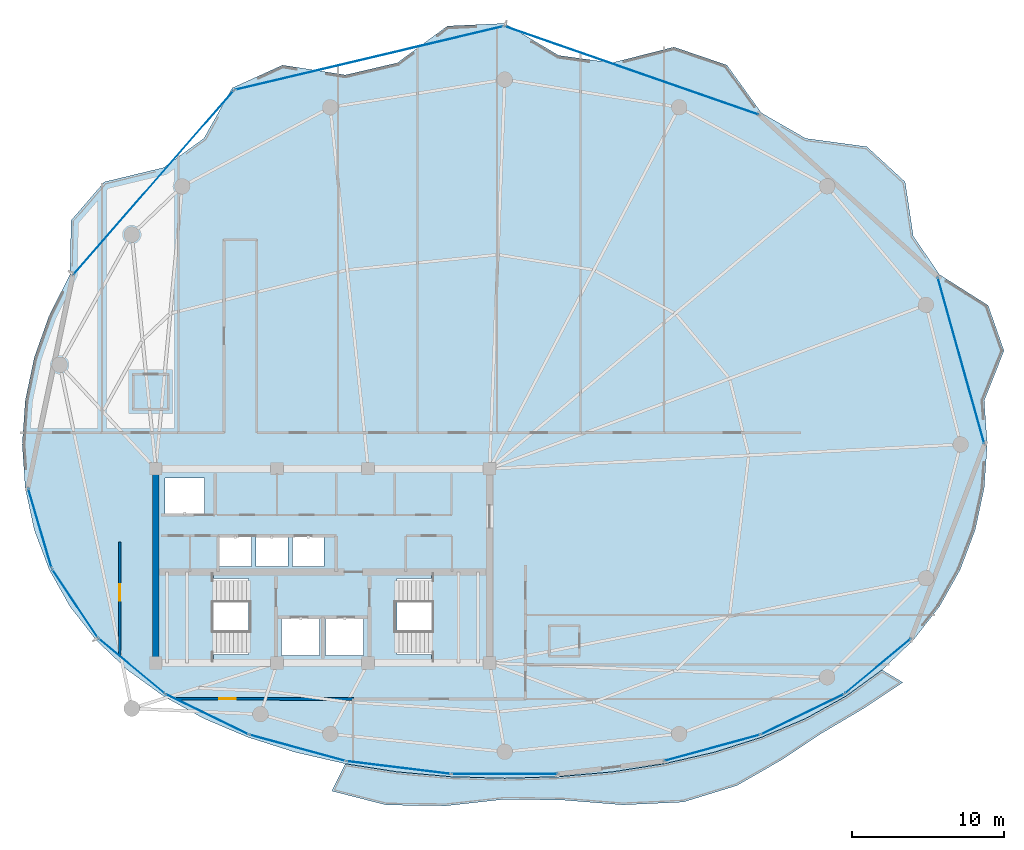
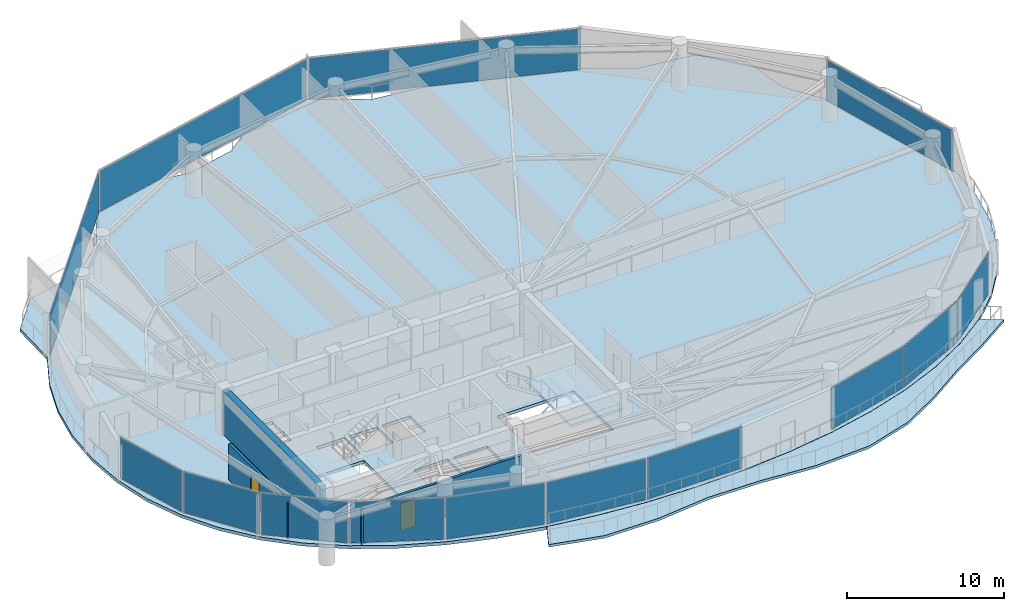
# One storey, part 22 of 29: 14 plates, 4 slabs, 3 walls, 2 doors, 2 openings, 16 elements without a shape of their own.
"""IFC4 building model written with IfcOpenShell, lengths in metres."""

from ifc_helpers import new_model, si_unit, direction, frame, frame_2d, origin, origin_2d, place, context, subcontext, project, spatial, polyline, rectangle, outline, extrude, material, layer, layer_set, type_object, element, fill, aggregate, save


model = new_model("IFC4")

# Units and contexts
model_context = context("Model", 3, precision=1e-05, world=origin(), true_north=direction((0.0, 1.0)))
body_context = subcontext(model_context, "Body", "Model", "MODEL_VIEW")
ifc_project = project(units=[si_unit("LENGTHUNIT", "METRE"), si_unit("AREAUNIT", "SQUARE_METRE"), si_unit("VOLUMEUNIT", "CUBIC_METRE"), si_unit("PLANEANGLEUNIT", "RADIAN"), si_unit("MASSUNIT", "GRAM", prefix="KILO")], contexts=[model_context])

# Site, building, storey
site_placement = place(None, origin())
site = spatial("IfcSite", under=ifc_project, at=site_placement, CompositionType="ELEMENT")
building_placement = place(site_placement, origin())
building = spatial("IfcBuilding", under=site, at=building_placement, Name="Kazevale Care Tower and Concert Hall", CompositionType="ELEMENT")
storey_placement = place(building_placement, frame((0.0, 0.0, 213.60009765625)))
storey = spatial("IfcBuildingStorey", under=building, at=storey_placement, Name="L56", CompositionType="ELEMENT", Elevation=213.60009765625)

# Curtain wall, plate
ifc_material_1 = material(Name="Aluminium 6063-T6 and Low-E Glass", Category="aluminium")
ifc_layer_1 = layer(ifc_material_1, 0.179931640625)
ifc_layer_set_1 = layer_set([ifc_layer_1], Name="Aluminium 6063-T6 and Low-E Glass")
curtain_wall_type_1 = type_object("IfcCurtainWallType", Name="Convex Checkerboard Finned Curtain Wall CW-2", PredefinedType="NOTDEFINED", material=ifc_layer_set_1)
curtain_wall_1_placement = place(storey_placement, origin())
curtain_wall_1 = element("IfcCurtainWall", 1, at=curtain_wall_1_placement, inside=storey, type_object=curtain_wall_type_1, Name="cw:L56:f14", PredefinedType="NOTDEFINED")
ifc_material_2 = material(Name="Low-E Laminated Glass", Category="glass")
ifc_layer_2 = layer(ifc_material_2, 0.028076171875)
ifc_layer_set_2 = layer_set([ifc_layer_2], Name="Low-E Laminated Glass")
plate_type_1 = type_object("IfcPlateType", Name="CW-2 Low-E Glazing Panel 28mm", PredefinedType="CURTAIN_PANEL", material=ifc_layer_set_2)
plate_1_placement = place(storey_placement, frame((21.85009765625, 55.2529296875, 0.074951171875), z_axis=(0.0, 0.0, 1.0), x_axis=(0.657174776708, 0.753738225685, 0.0)))
plate_1 = element("IfcPlate", 2, at=plate_1_placement, type_object=plate_type_1, Name="CW-2 panel 1.1", PredefinedType="CURTAIN_PANEL", context=body_context, shape_type="SweptSolid", body=[
    extrude(rectangle(XDim=16.03662109375, YDim=0.028076171875, at=origin_2d()), origin(), (0.0, 0.0, 1.0), 3.2099609375),
])
aggregate(curtain_wall_1, [plate_1])

curtain_wall_2_placement = place(storey_placement, origin())
curtain_wall_2 = element("IfcCurtainWall", 3, at=curtain_wall_2_placement, inside=storey, type_object=curtain_wall_type_1, Name="cw:L56:f16", PredefinedType="NOTDEFINED")
plate_2_placement = place(storey_placement, frame((53.37451171875, 62.638427734375, 0.074951171875), z_axis=(0.0, 0.0, 1.0), x_axis=(0.94447485363, -0.328583704497, 0.0)))
plate_2 = element("IfcPlate", 4, at=plate_2_placement, type_object=plate_type_1, Name="CW-2 panel 1.1", PredefinedType="CURTAIN_PANEL", context=body_context, shape_type="SweptSolid", body=[
    extrude(rectangle(XDim=17.671142578125, YDim=0.028076171875, at=origin_2d()), origin(), (0.0, 0.0, 1.0), 3.2099609375),
])
aggregate(curtain_wall_2, [plate_2])

ifc_layer_3 = layer(ifc_material_1, 0.179931640625)
ifc_layer_set_3 = layer_set([ifc_layer_3], Name="Aluminium 6063-T6 and Low-E Glass")
curtain_wall_type_2 = type_object("IfcCurtainWallType", Name="Waist & Upper Residential Curtain Wall CW-4", PredefinedType="NOTDEFINED", material=ifc_layer_set_3)
curtain_wall_3_placement = place(storey_placement, origin())
curtain_wall_3 = element("IfcCurtainWall", 5, at=curtain_wall_3_placement, inside=storey, type_object=curtain_wall_type_2, Name="cw:L56:f11", PredefinedType="NOTDEFINED")
ifc_layer_4 = layer(ifc_material_2, 0.030029296875)
ifc_layer_set_4 = layer_set([ifc_layer_4], Name="Low-E Laminated Glass")
plate_type_2 = type_object("IfcPlateType", Name="CW-4 Low-E Glazing Panel 30mm", PredefinedType="CURTAIN_PANEL", material=ifc_layer_set_4)
plate_3_placement = place(storey_placement, frame((16.677978515625, 27.525390625, 0.080078125), z_axis=(0.0, 0.0, 1.0), x_axis=(-0.554616540853, 0.832106058512, 0.0)))
plate_3 = element("IfcPlate", 6, at=plate_3_placement, type_object=plate_type_2, Name="CW-4 panel 1.1", PredefinedType="CURTAIN_PANEL", context=body_context, shape_type="SweptSolid", body=[
    extrude(rectangle(XDim=5.357421875, YDim=0.030029296875, at=origin_2d()), origin(), (0.0, 0.0, 1.0), 3.199951171875),
])
aggregate(curtain_wall_3, [plate_3])

curtain_wall_4_placement = place(storey_placement, origin())
curtain_wall_4 = element("IfcCurtainWall", 7, at=curtain_wall_4_placement, inside=storey, type_object=curtain_wall_type_2, Name="cw:L56:f12", PredefinedType="NOTDEFINED")
plate_4_placement = place(storey_placement, frame((14.363525390625, 32.489013671875, 0.080078125), z_axis=(0.0, 0.0, 1.0), x_axis=(-0.282098184457, 0.959385539982, 0.0)))
plate_4 = element("IfcPlate", 8, at=plate_4_placement, type_object=plate_type_2, Name="CW-4 panel 1.1", PredefinedType="CURTAIN_PANEL", context=body_context, shape_type="SweptSolid", body=[
    extrude(rectangle(XDim=5.40185546875, YDim=0.030029296875, at=origin_2d()), origin(), (0.0, 0.0, 1.0), 3.199951171875),
])
aggregate(curtain_wall_4, [plate_4])

curtain_wall_5_placement = place(storey_placement, origin())
curtain_wall_5 = element("IfcCurtainWall", 9, at=curtain_wall_5_placement, inside=storey, type_object=curtain_wall_type_2, Name="cw:L56:f15", PredefinedType="NOTDEFINED")
plate_5_placement = place(storey_placement, frame((36.06298828125, 63.46240234375, 0.080078125), z_axis=(0.0, 0.0, 1.0), x_axis=(0.973086746233, 0.230439111929, 0.0)))
plate_5 = element("IfcPlate", 10, at=plate_5_placement, type_object=plate_type_2, Name="CW-4 panel 1.1", PredefinedType="CURTAIN_PANEL", context=body_context, shape_type="SweptSolid", body=[
    extrude(rectangle(XDim=18.11376953125, YDim=0.030029296875, at=origin_2d()), origin(), (0.0, 0.0, 1.0), 3.199951171875),
])
aggregate(curtain_wall_5, [plate_5])

curtain_wall_6_placement = place(storey_placement, origin())
curtain_wall_6 = element("IfcCurtainWall", 11, at=curtain_wall_6_placement, inside=storey, type_object=curtain_wall_type_2, Name="cw:L56:f18", PredefinedType="NOTDEFINED")
plate_6_placement = place(storey_placement, frame((75.071533203125, 43.531005859375, 0.080078125), z_axis=(0.0, 0.0, 1.0), x_axis=(0.269600864915, -0.962972156211, 0.0)))
plate_6 = element("IfcPlate", 12, at=plate_6_placement, type_object=plate_type_2, Name="CW-4 panel 1.1", PredefinedType="CURTAIN_PANEL", context=body_context, shape_type="SweptSolid", body=[
    extrude(rectangle(XDim=11.327392578125, YDim=0.030029296875, at=origin_2d()), origin(), (0.0, 0.0, 1.0), 3.199951171875),
])
aggregate(curtain_wall_6, [plate_6])

ifc_layer_5 = layer(ifc_material_1, 0.179931640625)
ifc_layer_set_5 = layer_set([ifc_layer_5], Name="Aluminium 6063-T6 and Low-E Glass")
curtain_wall_type_3 = type_object("IfcCurtainWallType", Name="Sheltered Concave Balcony Curtain Wall CW-5", PredefinedType="NOTDEFINED", material=ifc_layer_set_5)
curtain_wall_7_placement = place(storey_placement, origin())
curtain_wall_7 = element("IfcCurtainWall", 13, at=curtain_wall_7_placement, inside=storey, type_object=curtain_wall_type_3, Name="cw:L56:f02", PredefinedType="NOTDEFINED")
ifc_layer_6 = layer(ifc_material_2, 0.02587890625)
ifc_layer_set_6 = layer_set([ifc_layer_6], Name="Low-E Laminated Glass")
plate_type_3 = type_object("IfcPlateType", Name="CW-5 Low-E Glazing Panel 26mm", PredefinedType="CURTAIN_PANEL", material=ifc_layer_set_6)
plate_7_placement = place(storey_placement, frame((69.590576171875, 23.396484375, 0.074951171875), z_axis=(0.0, 0.0, 1.0), x_axis=(-0.768407210062, -0.639961217204, 0.0)))
plate_7 = element("IfcPlate", 14, at=plate_7_placement, type_object=plate_type_3, Name="CW-5 panel 1.1", PredefinedType="CURTAIN_PANEL", context=body_context, shape_type="SweptSolid", body=[
    extrude(rectangle(XDim=5.580078125, YDim=0.02587890625, at=origin_2d()), origin(), (0.0, 0.0, 1.0), 3.2099609375),
])
aggregate(curtain_wall_7, [plate_7])

curtain_wall_8_placement = place(storey_placement, origin())
curtain_wall_8 = element("IfcCurtainWall", 15, at=curtain_wall_8_placement, inside=storey, type_object=curtain_wall_type_3, Name="cw:L56:f03", PredefinedType="NOTDEFINED")
plate_8_placement = place(storey_placement, frame((64.62255859375, 20.218017578125, 0.074951171875), z_axis=(0.0, 0.0, 1.0), x_axis=(-0.89934566163, -0.437238357087, 0.0)))
plate_8 = element("IfcPlate", 16, at=plate_8_placement, type_object=plate_type_3, Name="CW-5 panel 1.1", PredefinedType="CURTAIN_PANEL", context=body_context, shape_type="SweptSolid", body=[
    extrude(rectangle(XDim=6.002197265625, YDim=0.02587890625, at=origin_2d()), origin(), (0.0, 0.0, 1.0), 3.2099609375),
])
aggregate(curtain_wall_8, [plate_8])

curtain_wall_9_placement = place(storey_placement, origin())
curtain_wall_9 = element("IfcCurtainWall", 17, at=curtain_wall_9_placement, inside=storey, type_object=curtain_wall_type_3, Name="cw:L56:f04", PredefinedType="NOTDEFINED")
plate_9_placement = place(storey_placement, frame((58.66259765625, 18.0029296875, 0.074951171875), z_axis=(0.0, 0.0, 1.0), x_axis=(-0.964836991167, -0.262848968947, 0.0)))
plate_9 = element("IfcPlate", 18, at=plate_9_placement, type_object=plate_type_3, Name="CW-5 panel 1.1", PredefinedType="CURTAIN_PANEL", context=body_context, shape_type="SweptSolid", body=[
    extrude(rectangle(XDim=6.4697265625, YDim=0.02587890625, at=origin_2d()), origin(), (0.0, 0.0, 1.0), 3.2099609375),
])
aggregate(curtain_wall_9, [plate_9])

curtain_wall_10_placement = place(storey_placement, origin())
curtain_wall_10 = element("IfcCurtainWall", 19, at=curtain_wall_10_placement, inside=storey, type_object=curtain_wall_type_3, Name="cw:L56:f06", PredefinedType="NOTDEFINED")
plate_10_placement = place(storey_placement, frame((45.0, 16.284912109375, 0.074951171875), z_axis=(0.0, 0.0, 1.0), x_axis=(-1.0, 0.0, 0.0)))
plate_10 = element("IfcPlate", 20, at=plate_10_placement, type_object=plate_type_3, Name="CW-5 panel 1.1", PredefinedType="CURTAIN_PANEL", context=body_context, shape_type="SweptSolid", body=[
    extrude(rectangle(XDim=6.949951171875, YDim=0.02587890625, at=origin_2d()), origin(), (0.0, 0.0, 1.0), 3.2099609375),
])
aggregate(curtain_wall_10, [plate_10])

curtain_wall_11_placement = place(storey_placement, origin())
curtain_wall_11 = element("IfcCurtainWall", 21, at=curtain_wall_11_placement, inside=storey, type_object=curtain_wall_type_3, Name="cw:L56:f07", PredefinedType="NOTDEFINED")
plate_11_placement = place(storey_placement, frame((37.990478515625, 16.708984375, 0.074951171875), z_axis=(0.0, 0.0, 1.0), x_axis=(-0.992572961225, 0.121650797964, 0.0)))
plate_11 = element("IfcPlate", 22, at=plate_11_placement, type_object=plate_type_3, Name="CW-5 panel 1.1", PredefinedType="CURTAIN_PANEL", context=body_context, shape_type="SweptSolid", body=[
    extrude(rectangle(XDim=6.82080078125, YDim=0.02587890625, at=origin_2d()), origin(), (0.0, 0.0, 1.0), 3.2099609375),
])
aggregate(curtain_wall_11, [plate_11])

curtain_wall_12_placement = place(storey_placement, origin())
curtain_wall_12 = element("IfcCurtainWall", 23, at=curtain_wall_12_placement, inside=storey, type_object=curtain_wall_type_3, Name="cw:L56:f08", PredefinedType="NOTDEFINED")
plate_12_placement = place(storey_placement, frame((31.33740234375, 18.0029296875, 0.074951171875), z_axis=(0.0, 0.0, 1.0), x_axis=(-0.964836991167, 0.262848968947, 0.0)))
plate_12 = element("IfcPlate", 24, at=plate_12_placement, type_object=plate_type_3, Name="CW-5 panel 1.1", PredefinedType="CURTAIN_PANEL", context=body_context, shape_type="SweptSolid", body=[
    extrude(rectangle(XDim=6.4697265625, YDim=0.02587890625, at=origin_2d()), origin(), (0.0, 0.0, 1.0), 3.2099609375),
])
aggregate(curtain_wall_12, [plate_12])

curtain_wall_13_placement = place(storey_placement, origin())
curtain_wall_13 = element("IfcCurtainWall", 25, at=curtain_wall_13_placement, inside=storey, type_object=curtain_wall_type_3, Name="cw:L56:f09", PredefinedType="NOTDEFINED")
plate_13_placement = place(storey_placement, frame((25.37744140625, 20.218017578125, 0.074951171875), z_axis=(0.0, 0.0, 1.0), x_axis=(-0.89934566163, 0.437238357087, 0.0)))
plate_13 = element("IfcPlate", 26, at=plate_13_placement, type_object=plate_type_3, Name="CW-5 panel 1.1", PredefinedType="CURTAIN_PANEL", context=body_context, shape_type="SweptSolid", body=[
    extrude(rectangle(XDim=6.002197265625, YDim=0.02587890625, at=origin_2d()), origin(), (0.0, 0.0, 1.0), 3.2099609375),
])
aggregate(curtain_wall_13, [plate_13])

curtain_wall_14_placement = place(storey_placement, origin())
curtain_wall_14 = element("IfcCurtainWall", 27, at=curtain_wall_14_placement, inside=storey, type_object=curtain_wall_type_3, Name="cw:L56:f10", PredefinedType="NOTDEFINED")
plate_14_placement = place(storey_placement, frame((20.409423828125, 23.396484375, 0.074951171875), z_axis=(0.0, 0.0, 1.0), x_axis=(-0.768407210062, 0.639961217204, 0.0)))
plate_14 = element("IfcPlate", 28, at=plate_14_placement, type_object=plate_type_3, Name="CW-5 panel 1.1", PredefinedType="CURTAIN_PANEL", context=body_context, shape_type="SweptSolid", body=[
    extrude(rectangle(XDim=5.580078125, YDim=0.02587890625, at=origin_2d()), origin(), (0.0, 0.0, 1.0), 3.2099609375),
])
aggregate(curtain_wall_14, [plate_14])

# Slab
ifc_material_3 = material(Name="Concrete C40", Category="concrete")
ifc_layer_7 = layer(ifc_material_3, 0.199951171875)
ifc_layer_set_7 = layer_set([ifc_layer_7], Name="Concrete C40")
slab_type_1 = type_object("IfcSlabType", Name="Sinusoidal Concave Balcony Slab 200", PredefinedType="USERDEFINED", material=ifc_layer_set_7)
slab_1_placement = place(storey_placement, frame((0.0, 0.0, -0.2001953125)))
element("IfcSlab", 29, at=slab_1_placement, inside=storey, type_object=slab_type_1, Name="slab:L56:bal", ObjectType="BALCONY", PredefinedType="USERDEFINED", context=body_context, shape_type="SweptSolid", body=[
    extrude(outline(polyline([(71.234619140625, 22.31640625), (68.611572265625, 20.580322265625), (65.888427734375, 18.966552734375), (63.23291015625, 17.204345703125), (60.2919921875, 15.516357421875), (56.7626953125, 14.431884765625), (52.78955078125, 14.2470703125), (48.81103515625, 14.56396484375), (45.0, 14.6171875), (41.12744140625, 14.185791015625), (37.206787109375, 14.235595703125), (33.60009765625, 15.158935546875), (34.494873046875, 16.951416015625), (34.49609375, 16.951171875), (37.923095703125, 16.417236328125), (41.439208984375, 16.10009765625), (45.0, 15.9951171875), (48.560791015625, 16.10009765625), (52.076904296875, 16.417236328125), (55.50390625, 16.951171875), (58.798828125, 17.708740234375), (61.92041015625, 18.69873046875), (64.8291015625, 19.92919921875), (67.48876953125, 21.406494140625), (69.865478515625, 23.133056640625), (69.86669921875, 23.13427734375), (71.234619140625, 22.31640625)])), origin(), (0.0, 0.0, 1.0), 0.2001953125),
])

# Stair, slab
stair_type = type_object("IfcStairType", Name="Exit Stair Assembly ST1-Z3", PredefinedType="HALF_TURN_STAIR", material=ifc_material_3)
stair_1_placement = place(storey_placement, origin())
stair_1 = element("IfcStair", 30, at=stair_1_placement, inside=storey, type_object=stair_type, Name="stair:L56:ST1", PredefinedType="HALF_TURN_STAIR")
ifc_layer_8 = layer(ifc_material_3, 0.199951171875)
ifc_layer_set_8 = layer_set([ifc_layer_8], Name="Concrete C40")
slab_type_2 = type_object("IfcSlabType", Name="Stair Half-Landing Slab ST1-Z3", PredefinedType="LANDING", material=ifc_layer_set_8)
slab_2_placement = place(storey_placement, frame((0.0, 0.0, 1.599853515625)))
slab_2 = element("IfcSlab", 31, at=slab_2_placement, type_object=slab_type_2, Name="ST1-Z3 landing 1", PredefinedType="LANDING", context=body_context, shape_type="SweptSolid", body=[
    extrude(outline(polyline([(22.050048828125, 23.699951171875), (25.81005859375, 23.699951171875), (25.81005859375, 29.5), (22.050048828125, 29.5), (22.050048828125, 23.699951171875)])), origin(), (0.0, 0.0, 1.0), 0.199951171875),
])
aggregate(stair_1, [slab_2])

stair_2_placement = place(storey_placement, origin())
stair_2 = element("IfcStair", 32, at=stair_2_placement, inside=storey, type_object=stair_type, Name="stair:L56:ST2", PredefinedType="HALF_TURN_STAIR")
slab_3_placement = place(storey_placement, frame((0.0, 0.0, 1.599853515625)))
slab_3 = element("IfcSlab", 33, at=slab_3_placement, type_object=slab_type_2, Name="ST1-Z3 landing 1", PredefinedType="LANDING", context=body_context, shape_type="SweptSolid", body=[
    extrude(outline(polyline([(40.18994140625, 23.699951171875), (43.949951171875, 23.699951171875), (43.949951171875, 29.5), (40.18994140625, 29.5), (40.18994140625, 23.699951171875)])), origin(), (0.0, 0.0, 1.0), 0.199951171875),
])
aggregate(stair_2, [slab_3])

# Slab
ifc_layer_9 = layer(ifc_material_3, 0.239990234375)
ifc_layer_set_9 = layer_set([ifc_layer_9], Name="Concrete C40")
slab_type_3 = type_object("IfcSlabType", Name="Tower Typical Floor Slab 240", PredefinedType="FLOOR", material=ifc_layer_set_9)
slab_4_placement = place(storey_placement, frame((0.0, 0.0, -0.239990234375)))
element("IfcSlab", 34, at=slab_4_placement, inside=storey, type_object=slab_type_3, Name="slab:L56:tw:1", PredefinedType="FLOOR", context=body_context, shape_type="SweptSolid", body=[
    extrude(outline(polyline([(76.800048828125, 38.0), (76.60009765625, 40.888671875), (77.90380859375, 44.175048828125), (76.856201171875, 47.165283203125), (73.65087890625, 49.194091796875), (71.92578125, 51.726318359375), (71.38671875, 55.3017578125), (68.864990234375, 57.622314453125), (64.826904296875, 58.17138671875), (61.918701171875, 59.845458984375), (59.6435546875, 63.001953125), (56.14697265625, 64.19287109375), (52.076171875, 63.153076171875), (48.560546875, 63.6376953125), (45.0, 65.75), (41.22119140625, 65.575439453125), (37.923828125, 63.153076171875), (34.4970703125, 62.352294921875), (30.3564453125, 63.001953125), (27.0439453125, 61.49658203125), (25.173095703125, 58.17138671875), (22.513916015625, 56.243408203125), (18.61328125, 55.3017578125), (16.423095703125, 52.763916015625), (16.34912109375, 49.194091796875), (14.984619140625, 46.521240234375), (13.997314453125, 43.740966796875), (13.39990234375, 40.888671875), (13.199951171875, 38.0), (13.39990234375, 35.131103515625), (13.997314453125, 32.362060546875), (14.984619140625, 29.744873046875), (16.34912109375, 27.318115234375), (18.07421875, 25.109130859375), (20.1376953125, 23.13671875), (22.513916015625, 21.41064453125), (25.173095703125, 19.933837890625), (28.081298828125, 18.70361328125), (31.202392578125, 17.713623046875), (34.4970703125, 16.9560546875), (37.923828125, 16.422119140625), (41.439453125, 16.10498046875), (45.0, 16.0), (48.560546875, 16.10498046875), (52.076171875, 16.422119140625), (55.5029296875, 16.9560546875), (58.797607421875, 17.713623046875), (61.918701171875, 18.70361328125), (64.826904296875, 19.933837890625), (67.486083984375, 21.41064453125), (69.8623046875, 23.13671875), (71.92578125, 25.109130859375), (73.65087890625, 27.318115234375), (75.015380859375, 29.744873046875), (76.002685546875, 32.362060546875), (76.60009765625, 35.131103515625), (76.800048828125, 38.0)]), holes=[polyline([(22.449951171875, 24.14990234375), (28.110107421875, 24.14990234375), (28.110107421875, 29.14990234375), (22.449951171875, 29.14990234375), (22.449951171875, 24.14990234375)]), polyline([(37.889892578125, 24.14990234375), (43.550048828125, 24.14990234375), (43.550048828125, 29.14990234375), (37.889892578125, 29.14990234375), (37.889892578125, 24.14990234375)]), polyline([(30.300048828125, 24.10009765625), (32.800048828125, 24.10009765625), (32.800048828125, 26.60009765625), (30.300048828125, 26.60009765625), (30.300048828125, 24.10009765625)]), polyline([(33.199951171875, 24.10009765625), (35.699951171875, 24.10009765625), (35.699951171875, 26.60009765625), (33.199951171875, 26.60009765625), (33.199951171875, 24.10009765625)]), polyline([(22.60009765625, 33.39990234375), (25.199951171875, 33.39990234375), (25.199951171875, 35.800048828125), (22.60009765625, 35.800048828125), (22.60009765625, 33.39990234375)]), polyline([(26.199951171875, 29.949951171875), (28.300048828125, 29.949951171875), (28.300048828125, 31.949951171875), (26.199951171875, 31.949951171875), (26.199951171875, 29.949951171875)]), polyline([(28.60009765625, 29.949951171875), (30.699951171875, 29.949951171875), (30.699951171875, 31.949951171875), (28.60009765625, 31.949951171875), (28.60009765625, 29.949951171875)]), polyline([(31.0, 29.949951171875), (33.10009765625, 29.949951171875), (33.10009765625, 31.949951171875), (31.0, 31.949951171875), (31.0, 29.949951171875)])]), origin(), (0.0, 0.0, 1.0), 0.239990234375),
])

# Wall
ifc_material_4 = material(Name="Concrete C50", Category="concrete")
ifc_layer_10 = layer(ifc_material_4, 0.449951171875)
ifc_layer_set_10 = layer_set([ifc_layer_10], Name="Concrete C50")
wall_type_1 = type_object("IfcWallType", Name="Core Shear Wall 450 C50", PredefinedType="SHEAR", material=ifc_layer_set_10)
wall_1_placement = place(storey_placement, frame((22.0, 23.824951171875, 0.0), z_axis=(0.0, 0.0, 1.0), x_axis=(0.0, 1.0, 0.0)))
element("IfcWall", 35, at=wall_1_placement, inside=storey, type_object=wall_type_1, Name="wall:L56:core:W", PredefinedType="SHEAR", context=body_context, shape_type="SweptSolid", body=[
    extrude(rectangle(XDim=12.35009765625, YDim=0.449951171875, at=frame_2d((6.175048828125, 0.0))), origin(), (0.0, 0.0, 1.0), 3.35986328125),
])

# Wall, opening, door
ifc_material_5 = material(Name="Concrete C40 and Acoustic Gypsum", Category="concrete")
ifc_layer_11 = layer(ifc_material_5, 0.179931640625)
ifc_layer_set_11 = layer_set([ifc_layer_11], Name="Concrete C40 and Acoustic Gypsum")
wall_type_2 = type_object("IfcWallType", Name="Fire-Rated Corridor & Party Wall 180", PredefinedType="PARTITIONING", material=ifc_layer_set_11)
wall_2_placement = place(storey_placement, frame((35.06494140625, 21.22509765625, 0.0), z_axis=(0.0, 0.0, 1.0), x_axis=(-0.999998948453, 0.001450204611, 0.0)))
wall_2 = element("IfcWall", 36, at=wall_2_placement, inside=storey, type_object=wall_type_2, Name="wall:L56:auto_016", PredefinedType="PARTITIONING", context=body_context, shape_type="SweptSolid", body=[
    extrude(rectangle(XDim=11.784423828125, YDim=0.179931640625, at=frame_2d((5.89208984375, 0.0))), origin(), (0.0, 0.0, 1.0), 2.805908203125),
])
opening_1_placement = place(wall_2_placement, frame((7.779052734375, 0.0, 0.0)))
opening_1 = element("IfcOpeningElement", 37, at=opening_1_placement, cuts=wall_2, Name="Opening ID-1100", PredefinedType="OPENING", context=body_context, shape_type="SweptSolid", body=[
    extrude(rectangle(XDim=1.10009765625, YDim=2.10009765625, at=frame_2d((0.550048828125, 1.050048828125))), frame((0.0, 0.099853515625, 0.0), z_axis=(0.0, -1.0, 0.0), x_axis=(1.0, 0.0, 0.0)), (0.0, 0.0, 1.0), 0.199951171875),
])
ifc_material_6 = material(Name="Oak Timber Fire Leaf", Category="wood")
door_type = type_object("IfcDoorType", Name="Care Bedroom Accessible Door 1100x2100", OperationType="NOTDEFINED", PredefinedType="DOOR", material=ifc_material_6)
door_1_placement = place(opening_1_placement, origin())
door_1 = element("IfcDoor", 38, at=door_1_placement, inside=storey, type_object=door_type, Name="door:L56:ad_016", OperationType="SINGLE_SWING_LEFT", OverallHeight=2.10009765625, OverallWidth=1.10009765625, PredefinedType="DOOR", context=body_context, shape_type="SweptSolid", body=[
    extrude(rectangle(XDim=1.10009765625, YDim=2.10009765625, at=frame_2d((0.550048828125, 1.050048828125))), frame((0.0, 0.02490234375, 0.0), z_axis=(0.0, -1.0, 0.0), x_axis=(1.0, 0.0, 0.0)), (0.0, 0.0, 1.0), 0.050048828125),
])
fill(opening_1, door_1)

wall_3_placement = place(storey_placement, frame((19.625, 24.059814453125, 0.0), z_axis=(0.0, 0.0, 1.0), x_axis=(0.0, 1.0, 0.0)))
wall_3 = element("IfcWall", 39, at=wall_3_placement, inside=storey, type_object=wall_type_2, Name="wall:L56:auto_018", PredefinedType="PARTITIONING", context=body_context, shape_type="SweptSolid", body=[
    extrude(rectangle(XDim=7.505126953125, YDim=0.179931640625, at=frame_2d((3.75244140625, 0.0))), origin(), (0.0, 0.0, 1.0), 2.81689453125),
])
opening_2_placement = place(wall_3_placement, frame((3.639892578125, 0.0, 0.0)))
opening_2 = element("IfcOpeningElement", 40, at=opening_2_placement, cuts=wall_3, Name="Opening ID-1100", PredefinedType="OPENING", context=body_context, shape_type="SweptSolid", body=[
    extrude(rectangle(XDim=1.10009765625, YDim=2.10009765625, at=frame_2d((0.550048828125, 1.050048828125))), frame((0.0, 0.099853515625, 0.0), z_axis=(0.0, -1.0, 0.0), x_axis=(1.0, 0.0, 0.0)), (0.0, 0.0, 1.0), 0.199951171875),
])
door_2_placement = place(opening_2_placement, origin())
door_2 = element("IfcDoor", 41, at=door_2_placement, inside=storey, type_object=door_type, Name="door:L56:ad_018", OperationType="SINGLE_SWING_LEFT", OverallHeight=2.10009765625, OverallWidth=1.10009765625, PredefinedType="DOOR", context=body_context, shape_type="SweptSolid", body=[
    extrude(rectangle(XDim=1.10009765625, YDim=2.10009765625, at=frame_2d((0.550048828125, 1.050048828125))), frame((0.0, 0.02490234375, 0.0), z_axis=(0.0, -1.0, 0.0), x_axis=(1.0, 0.0, 0.0)), (0.0, 0.0, 1.0), 0.050048828125),
])
fill(opening_2, door_2)

save(model, "model.ifc")
